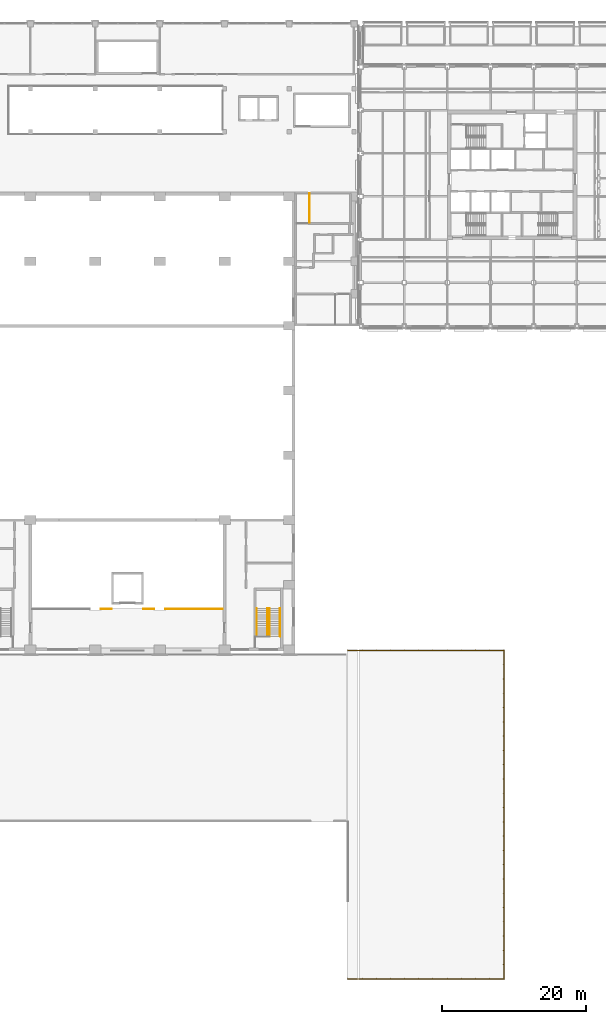
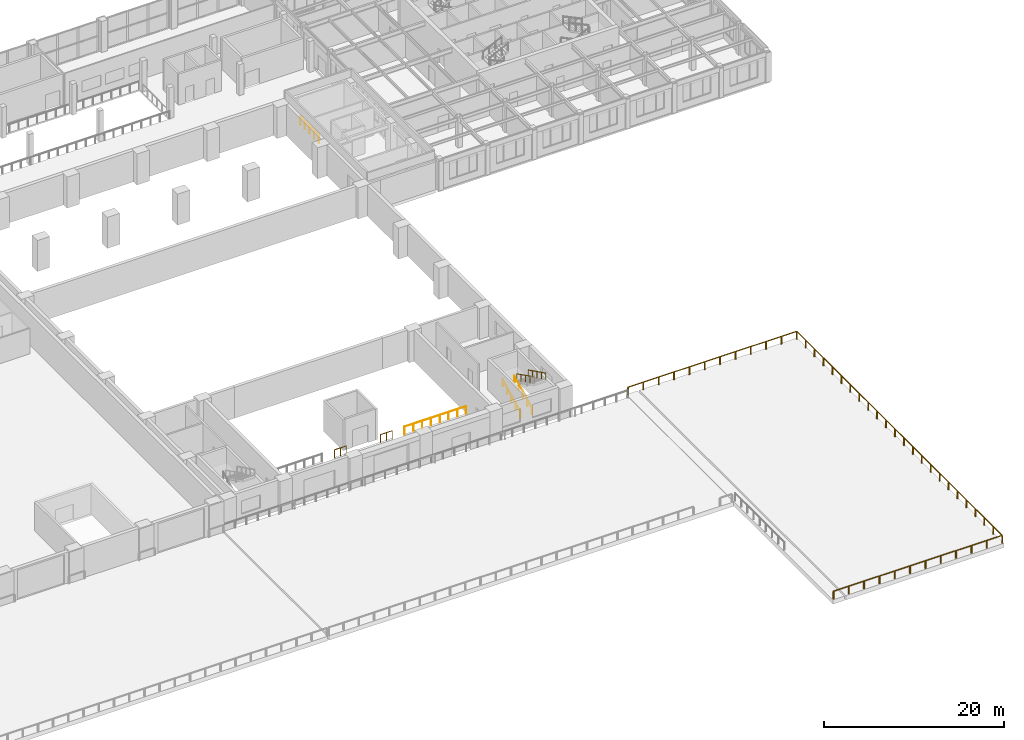
# One storey, part 33 of 39: 9 railings.
"""IFC4 building model written with IfcOpenShell, lengths in metres."""

import ifcopenshell
import ifcopenshell.guid

model = None  # the IFC model being written
_history = None  # IfcOwnerHistory: only IFC2X3 demands one
_inside = {}  # id of a spatial element -> (the spatial element, [elements in it])
_under = {}  # id of a project, library or spatial element -> (it, [spatial elements below it])
_declared = {}  # id of a project -> (the project, [libraries it declares])
_typed = {}  # id of a type object -> (the type object, [elements of that type])
_made_of = {}  # id of a material, layer set ... -> (it, [elements and type objects made of it])


def new_model(schema):
    """Start an empty IFC model of exactly this schema.

    Asked for "IFC4X3", IfcOpenShell would pick the latest addendum, in which some entities
    have other attributes; the version numbers below select the first issue.
    IFC2X3 requires an IfcOwnerHistory on every rooted entity: one is made here for all.
    """
    global model, _history
    if schema == "IFC4X3":
        model = ifcopenshell.file(schema_version=(4, 3, 0, 0))
    else:
        model = ifcopenshell.file(schema=schema)
    _inside.clear()
    _under.clear()
    _declared.clear()
    _typed.clear()
    _made_of.clear()
    _history = None
    if model.schema == "IFC2X3":
        org = make("IfcOrganization", Name="unknown")
        user = make(
            "IfcPersonAndOrganization",
            ThePerson=make("IfcPerson", FamilyName="unknown"),
            TheOrganization=org,
        )
        app = make(
            "IfcApplication",
            ApplicationDeveloper=org,
            Version="unknown",
            ApplicationFullName="unknown",
            ApplicationIdentifier="unknown",
        )
        _history = make(
            "IfcOwnerHistory",
            OwningUser=user,
            OwningApplication=app,
            ChangeAction="ADDED",
            CreationDate=0,
        )
    return model


def make(cls, **values):
    """One entity of the class cls with the attributes given. An attribute that is None is left unset."""
    return model.create_entity(
        cls, **{name: value for name, value in values.items() if value is not None}
    )


def rooted(cls, **values):
    """An entity with a GlobalId (a new one), such as an element, a storey or a relation."""
    return make(cls, GlobalId=ifcopenshell.guid.new(), OwnerHistory=_history, **values)


def si_unit(unit_type, name, prefix=None):
    """IfcSIUnit, for example si_unit("LENGTHUNIT", "METRE", prefix="MILLI")."""
    return make("IfcSIUnit", UnitType=unit_type, Prefix=prefix, Name=name)


def assignment(units):
    """IfcUnitAssignment: the units of a project."""
    return None if units is None else make("IfcUnitAssignment", Units=units)


def point(xyz):
    """IfcCartesianPoint."""
    return None if xyz is None else make("IfcCartesianPoint", Coordinates=xyz)


def direction(xyz):
    """IfcDirection."""
    return None if xyz is None else make("IfcDirection", DirectionRatios=xyz)


def frame(location, z_axis=None, x_axis=None):
    """IfcAxis2Placement3D, a coordinate frame: its origin and axes. An axis left out is left unset."""
    return make(
        "IfcAxis2Placement3D",
        Location=point(location),
        Axis=direction(z_axis),
        RefDirection=direction(x_axis),
    )


def frame_2d(location, x_axis=None):
    """IfcAxis2Placement2D, a coordinate frame in the plane: its origin and x axis."""
    return make(
        "IfcAxis2Placement2D", Location=point(location), RefDirection=direction(x_axis)
    )


def origin():
    """The frame at (0, 0, 0) with its axes left unset."""
    return frame((0.0, 0.0, 0.0))


def origin_2d():
    """The frame at (0, 0) in the plane with its x axis left unset."""
    return frame_2d((0.0, 0.0))


def place(relative_to, where):
    """IfcLocalPlacement: puts the frame where relative to a parent placement (None: the world)."""
    return make(
        "IfcLocalPlacement", PlacementRelTo=relative_to, RelativePlacement=where
    )


def context(
    kind, dimensions, precision=None, world=None, true_north=None, identifier=None
):
    """IfcGeometricRepresentationContext, for example the 3D "Model" context."""
    return make(
        "IfcGeometricRepresentationContext",
        ContextIdentifier=identifier,
        ContextType=kind,
        CoordinateSpaceDimension=dimensions,
        Precision=precision,
        WorldCoordinateSystem=world,
        TrueNorth=true_north,
    )


def subcontext(parent, identifier, kind, view, scale=None):
    """IfcGeometricRepresentationSubContext, for example "Body" below "Model"."""
    return make(
        "IfcGeometricRepresentationSubContext",
        ContextIdentifier=identifier,
        ContextType=kind,
        ParentContext=parent,
        TargetScale=scale,
        TargetView=view,
    )


def project(units=None, contexts=None):
    """IfcProject with its units and contexts."""
    return rooted(
        "IfcProject",
        Name="project",
        RepresentationContexts=contexts,
        UnitsInContext=assignment(units),
    )


def spatial(cls, under=None, at=None, **own):
    """A site, building, storey or space (cls), placed at a placement, below another one or the project."""
    s = rooted(cls, ObjectPlacement=at, **own)
    if under is not None:
        _under.setdefault(under.id(), (under, []))[1].append(s)
    return s


def profile(cls, at=None, kind="AREA", **sizes):
    """A parametric profile (cls). Its sizes go by their IFC names, for example OverallWidth=200.0."""
    return make(cls, ProfileType=kind, Position=at, **sizes)


def circle(**sizes):
    """IfcCircleProfileDef."""
    return profile("IfcCircleProfileDef", **sizes)


def extrude(swept, where, along, depth):
    """IfcExtrudedAreaSolid: the profile swept, set in the frame where, extruded along a direction by depth."""
    return make(
        "IfcExtrudedAreaSolid",
        SweptArea=swept,
        Position=where,
        ExtrudedDirection=direction(along),
        Depth=depth,
    )


def shape(context_of_items, identifier, shape_type, items):
    """IfcShapeRepresentation: the items that make up one representation, for example the "Body"."""
    return make(
        "IfcShapeRepresentation",
        ContextOfItems=context_of_items,
        RepresentationIdentifier=identifier,
        RepresentationType=shape_type,
        Items=items,
    )


def material(Name=None, Category=None):
    """IfcMaterial."""
    return make("IfcMaterial", Name=Name, Category=Category)


def made_of(thing, what):
    """Note that an element or type object is made of a material, layer set ...; save() writes the relation."""
    if what is not None:
        _made_of.setdefault(what.id(), (what, []))[1].append(thing)
    return thing


def type_object(cls, material=None, **own):
    """A type object (cls), such as IfcWallType, which elements share."""
    return made_of(rooted(cls, **own), material)


def element(
    cls,
    number,
    at=None,
    inside=None,
    cuts=None,
    type_object=None,
    material=None,
    context=None,
    identifier="Body",
    shape_type=None,
    held_by="IfcProductDefinitionShape",
    body=None,
    shapes=None,
    **own,
):
    """One element of the class cls, such as IfcWall. Its Tag is "e" and its number.

    at: its placement. inside: the storey or other place that contains it. cuts: it is an
    opening in that element (IfcRelVoidsElement). A single representation is given by context,
    identifier, shape_type and body (its items); several are given by shapes. held_by: the class
    of the entity that holds the representations. save() writes the other relations.
    """
    e = rooted(cls, Tag="e%d" % number, ObjectPlacement=at, **own)
    if body is not None:
        shapes = [shape(context, identifier, shape_type, body)]
    if shapes is not None:
        e.Representation = make(held_by, Representations=shapes)
    if inside is not None:
        _inside.setdefault(inside.id(), (inside, []))[1].append(e)
    if cuts is not None:
        rooted(
            "IfcRelVoidsElement", RelatingBuildingElement=cuts, RelatedOpeningElement=e
        )
    if type_object is not None:
        _typed.setdefault(type_object.id(), (type_object, []))[1].append(e)
    return made_of(e, material)


def aggregate(whole, parts):
    """IfcRelAggregates: a whole, such as a stair, and the parts it consists of."""
    return rooted("IfcRelAggregates", RelatingObject=whole, RelatedObjects=parts)


def save(model, path):
    """Write the relations noted so far, then the file.

    IfcRelAggregates (storeys below a building ...), IfcRelContainedInSpatialStructure (elements
    in a storey), IfcRelDefinesByType, IfcRelAssociatesMaterial and IfcRelDeclares: one each for
    every whole, place, type object, material and project.
    """
    for whole, parts in _under.values():
        aggregate(whole, parts)
    for where, things in _inside.values():
        rooted(
            "IfcRelContainedInSpatialStructure",
            RelatedElements=things,
            RelatingStructure=where,
        )
    for kind, things in _typed.values():
        rooted("IfcRelDefinesByType", RelatedObjects=things, RelatingType=kind)
    for what, things in _made_of.values():
        rooted("IfcRelAssociatesMaterial", RelatedObjects=things, RelatingMaterial=what)
    for by, libraries in _declared.values():
        rooted("IfcRelDeclares", RelatingContext=by, RelatedDefinitions=libraries)
    model.write(path)


model = new_model("IFC4")

# Units and contexts
model_context = context("Model", 3, precision=1e-05, world=origin(), true_north=direction((0.0, 1.0)))
body_context = subcontext(model_context, "Body", "Model", "MODEL_VIEW")
ifc_project = project(units=[si_unit("LENGTHUNIT", "METRE"), si_unit("AREAUNIT", "SQUARE_METRE"), si_unit("VOLUMEUNIT", "CUBIC_METRE"), si_unit("PLANEANGLEUNIT", "RADIAN"), si_unit("MASSUNIT", "GRAM", prefix="KILO")], contexts=[model_context])

# Site, building, storey
site_placement = place(None, origin())
site = spatial("IfcSite", under=ifc_project, at=site_placement, CompositionType="ELEMENT")
building_placement = place(site_placement, origin())
building = spatial("IfcBuilding", under=site, at=building_placement, Name="Aravalli Gate Trade Fair Centre", CompositionType="ELEMENT")
storey_placement = place(building_placement, frame((0.0, 0.0, 15.0)))
storey = spatial("IfcBuildingStorey", under=building, at=storey_placement, Name="L03", CompositionType="ELEMENT", Elevation=15.0)

# Railings
ifc_material = material(Name="Steel E350", Category="steel")
railing_type_1 = type_object("IfcRailingType", Name="Congress gallery guard 1100", PredefinedType="GUARDRAIL", material=ifc_material)
for number, where, name in (
    (1, (123.800048828125, 51.60009765625, 0.0), "Gallery guard 2"),
    (2, (129.699951171875, 51.60009765625, 0.0), "Gallery guard 3"),
):
    element("IfcRailing", number, at=place(storey_placement, frame(where)), inside=storey, type_object=railing_type_1, Name=name, PredefinedType="GUARDRAIL", context=body_context, shape_type="SweptSolid", body=[
        extrude(circle(Radius=0.02392578125, at=origin_2d()), frame((0.0, 0.0, 1.076171875), z_axis=(1.0, 0.0, 0.0), x_axis=(0.0, 1.0, 0.0)), (0.0, 0.0, 1.0), 1.5),
        extrude(circle(Radius=0.02099609375, at=origin_2d()), origin(), (0.0, 0.0, 1.0), 1.052001953125),
        extrude(circle(Radius=0.02099609375, at=origin_2d()), frame((0.75, 0.0, 0.0)), (0.0, 0.0, 1.0), 1.052001953125),
        extrude(circle(Radius=0.02099609375, at=origin_2d()), frame((1.5, 0.0, 0.0)), (0.0, 0.0, 1.0), 1.052001953125),
    ])
railing_1_placement = place(storey_placement, frame((132.800048828125, 51.60009765625, 0.0)))
element("IfcRailing", 3, at=railing_1_placement, inside=storey, type_object=railing_type_1, Name="Gallery guard 4", PredefinedType="GUARDRAIL", context=body_context, shape_type="SweptSolid", body=[
    extrude(circle(Radius=0.02392578125, at=origin_2d()), frame((0.0, 0.0, 1.076171875), z_axis=(1.0, 0.0, 0.0), x_axis=(0.0, 1.0, 0.0)), (0.0, 0.0, 1.0), 7.89990234375),
    extrude(circle(Radius=0.02099609375, at=origin_2d()), origin(), (0.0, 0.0, 1.0), 1.052001953125),
    extrude(circle(Radius=0.02099609375, at=origin_2d()), frame((1.128662109375, 0.0, 0.0)), (0.0, 0.0, 1.0), 1.052001953125),
    extrude(circle(Radius=0.02099609375, at=origin_2d()), frame((2.257080078125, 0.0, 0.0)), (0.0, 0.0, 1.0), 1.052001953125),
    extrude(circle(Radius=0.02099609375, at=origin_2d()), frame((3.3857421875, 0.0, 0.0)), (0.0, 0.0, 1.0), 1.052001953125),
    extrude(circle(Radius=0.02099609375, at=origin_2d()), frame((4.51416015625, 0.0, 0.0)), (0.0, 0.0, 1.0), 1.052001953125),
    extrude(circle(Radius=0.02099609375, at=origin_2d()), frame((5.642822265625, 0.0, 0.0)), (0.0, 0.0, 1.0), 1.052001953125),
    extrude(circle(Radius=0.02099609375, at=origin_2d()), frame((6.771240234375, 0.0, 0.0)), (0.0, 0.0, 1.0), 1.052001953125),
    extrude(circle(Radius=0.02099609375, at=origin_2d()), frame((7.89990234375, 0.0, 0.0)), (0.0, 0.0, 1.0), 1.052001953125),
])
railing_type_2 = type_object("IfcRailingType", Name="Congress stair handrail 900", PredefinedType="HANDRAIL", material=ifc_material)
for number, where, name in (
    (4, (145.469970703125, 47.800048828125, 0.14990234375), "Handrail GS2 L03 1"),
    (5, (146.949951171875, 47.800048828125, 0.14990234375), "Handrail GS2 L03 2"),
):
    element("IfcRailing", number, at=place(storey_placement, frame(where)), inside=storey, type_object=railing_type_2, Name=name, PredefinedType="HANDRAIL", context=body_context, shape_type="SweptSolid", body=[
        extrude(circle(Radius=0.02392578125, at=origin_2d()), frame((0.0, 0.0, 0.8759765625), z_axis=(0.0, 0.894404793364, 0.447258387967), x_axis=(-1.0, 0.0, 0.0)), (0.0, 0.0, 1.0), 4.3603515625),
        extrude(circle(Radius=0.02099609375, at=origin_2d()), origin(), (0.0, 0.0, 1.0), 0.851806640625),
        extrude(circle(Radius=0.02099609375, at=origin_2d()), frame((0.0, 0.97509765625, 0.487548828125)), (0.0, 0.0, 1.0), 0.851806640625),
        extrude(circle(Radius=0.02099609375, at=origin_2d()), frame((0.0, 1.949951171875, 0.97509765625)), (0.0, 0.0, 1.0), 0.851806640625),
        extrude(circle(Radius=0.02099609375, at=origin_2d()), frame((0.0, 2.9248046875, 1.462646484375)), (0.0, 0.0, 1.0), 0.851806640625),
        extrude(circle(Radius=0.02099609375, at=origin_2d()), frame((0.0, 3.89990234375, 1.9501953125)), (0.0, 0.0, 1.0), 0.851806640625),
    ])
for number, where, name in (
    (6, (148.72998046875, 51.699951171875, 2.25), "Handrail GS2 L03 3"),
    (7, (147.25, 51.699951171875, 2.25), "Handrail GS2 L03 4"),
):
    element("IfcRailing", number, at=place(storey_placement, frame(where)), inside=storey, type_object=railing_type_2, Name=name, PredefinedType="HANDRAIL", context=body_context, shape_type="SweptSolid", body=[
        extrude(circle(Radius=0.02392578125, at=origin_2d()), frame((0.0, 0.0, 0.8759765625), z_axis=(0.0, -0.894427191, 0.4472135955), x_axis=(1.0, 0.0, 0.0)), (0.0, 0.0, 1.0), 4.360107421875),
        extrude(circle(Radius=0.02099609375, at=origin_2d()), origin(), (0.0, 0.0, 1.0), 0.851806640625),
        extrude(circle(Radius=0.02099609375, at=origin_2d()), frame((0.0, -0.97509765625, 0.487548828125)), (0.0, 0.0, 1.0), 0.851806640625),
        extrude(circle(Radius=0.02099609375, at=origin_2d()), frame((0.0, -1.949951171875, 0.97509765625)), (0.0, 0.0, 1.0), 0.851806640625),
        extrude(circle(Radius=0.02099609375, at=origin_2d()), frame((0.0, -2.9248046875, 1.46240234375)), (0.0, 0.0, 1.0), 0.851806640625),
        extrude(circle(Radius=0.02099609375, at=origin_2d()), frame((0.0, -3.89990234375, 1.949951171875)), (0.0, 0.0, 1.0), 0.851806640625),
    ])
railing_type_3 = type_object("IfcRailingType", Name="Crash barrier 1100", PredefinedType="USERDEFINED", material=ifc_material)
railing_2_placement = place(storey_placement, frame((158.169921875, 0.14990234375, 0.0)))
element("IfcRailing", 8, at=railing_2_placement, inside=storey, type_object=railing_type_3, Name="Landing crash barrier", ObjectType="Crash barrier", PredefinedType="USERDEFINED", context=body_context, shape_type="SweptSolid", body=[
    extrude(circle(Radius=0.06982421875, at=origin_2d()), frame((0.0, 0.0, 1.0302734375), z_axis=(1.0, 0.0, 0.0), x_axis=(0.0, 1.0, 0.0)), (0.0, 0.0, 1.0), 21.68017578125),
    extrude(circle(Radius=0.06982421875, at=origin_2d()), frame((21.68017578125, 0.0, 1.0302734375), z_axis=(0.0, 1.0, 0.0), x_axis=(-1.0, 0.0, 0.0)), (0.0, 0.0, 1.0), 45.7001953125),
    extrude(circle(Radius=0.06982421875, at=origin_2d()), frame((21.68017578125, 45.7001953125, 1.0302734375), z_axis=(-1.0, 0.0, 0.0), x_axis=(0.0, -1.0, 0.0)), (0.0, 0.0, 1.0), 21.68017578125),
    extrude(circle(Radius=0.10009765625, at=origin_2d()), origin(), (0.0, 0.0, 1.0), 0.960205078125),
    extrude(circle(Radius=0.10009765625, at=origin_2d()), frame((1.970947265625, 0.0, 0.0)), (0.0, 0.0, 1.0), 0.960205078125),
    extrude(circle(Radius=0.10009765625, at=origin_2d()), frame((3.94189453125, 0.0, 0.0)), (0.0, 0.0, 1.0), 0.960205078125),
    extrude(circle(Radius=0.10009765625, at=origin_2d()), frame((5.912841796875, 0.0, 0.0)), (0.0, 0.0, 1.0), 0.960205078125),
    extrude(circle(Radius=0.10009765625, at=origin_2d()), frame((7.8837890625, 0.0, 0.0)), (0.0, 0.0, 1.0), 0.960205078125),
    extrude(circle(Radius=0.10009765625, at=origin_2d()), frame((9.854736328125, 0.0, 0.0)), (0.0, 0.0, 1.0), 0.960205078125),
    extrude(circle(Radius=0.10009765625, at=origin_2d()), frame((11.825439453125, 0.0, 0.0)), (0.0, 0.0, 1.0), 0.960205078125),
    extrude(circle(Radius=0.10009765625, at=origin_2d()), frame((13.79638671875, 0.0, 0.0)), (0.0, 0.0, 1.0), 0.960205078125),
    extrude(circle(Radius=0.10009765625, at=origin_2d()), frame((15.767333984375, 0.0, 0.0)), (0.0, 0.0, 1.0), 0.960205078125),
    extrude(circle(Radius=0.10009765625, at=origin_2d()), frame((17.73828125, 0.0, 0.0)), (0.0, 0.0, 1.0), 0.960205078125),
    extrude(circle(Radius=0.10009765625, at=origin_2d()), frame((19.709228515625, 0.0, 0.0)), (0.0, 0.0, 1.0), 0.960205078125),
    extrude(circle(Radius=0.10009765625, at=origin_2d()), frame((21.68017578125, 0.0, 0.0)), (0.0, 0.0, 1.0), 0.960205078125),
    extrude(circle(Radius=0.10009765625, at=origin_2d()), frame((21.68017578125, 1.987060546875, 0.0)), (0.0, 0.0, 1.0), 0.960205078125),
    extrude(circle(Radius=0.10009765625, at=origin_2d()), frame((21.68017578125, 3.973876953125, 0.0)), (0.0, 0.0, 1.0), 0.960205078125),
    extrude(circle(Radius=0.10009765625, at=origin_2d()), frame((21.68017578125, 5.9609375, 0.0)), (0.0, 0.0, 1.0), 0.960205078125),
    extrude(circle(Radius=0.10009765625, at=origin_2d()), frame((21.68017578125, 7.94775390625, 0.0)), (0.0, 0.0, 1.0), 0.960205078125),
    extrude(circle(Radius=0.10009765625, at=origin_2d()), frame((21.68017578125, 9.934814453125, 0.0)), (0.0, 0.0, 1.0), 0.960205078125),
    extrude(circle(Radius=0.10009765625, at=origin_2d()), frame((21.68017578125, 11.921875, 0.0)), (0.0, 0.0, 1.0), 0.960205078125),
    extrude(circle(Radius=0.10009765625, at=origin_2d()), frame((21.68017578125, 13.90869140625, 0.0)), (0.0, 0.0, 1.0), 0.960205078125),
    extrude(circle(Radius=0.10009765625, at=origin_2d()), frame((21.68017578125, 15.895751953125, 0.0)), (0.0, 0.0, 1.0), 0.960205078125),
    extrude(circle(Radius=0.10009765625, at=origin_2d()), frame((21.68017578125, 17.882568359375, 0.0)), (0.0, 0.0, 1.0), 0.960205078125),
    extrude(circle(Radius=0.10009765625, at=origin_2d()), frame((21.68017578125, 19.86962890625, 0.0)), (0.0, 0.0, 1.0), 0.960205078125),
    extrude(circle(Radius=0.10009765625, at=origin_2d()), frame((21.68017578125, 21.856689453125, 0.0)), (0.0, 0.0, 1.0), 0.960205078125),
    extrude(circle(Radius=0.10009765625, at=origin_2d()), frame((21.68017578125, 23.843505859375, 0.0)), (0.0, 0.0, 1.0), 0.960205078125),
    extrude(circle(Radius=0.10009765625, at=origin_2d()), frame((21.68017578125, 25.83056640625, 0.0)), (0.0, 0.0, 1.0), 0.960205078125),
    extrude(circle(Radius=0.10009765625, at=origin_2d()), frame((21.68017578125, 27.817626953125, 0.0)), (0.0, 0.0, 1.0), 0.960205078125),
    extrude(circle(Radius=0.10009765625, at=origin_2d()), frame((21.68017578125, 29.804443359375, 0.0)), (0.0, 0.0, 1.0), 0.960205078125),
    extrude(circle(Radius=0.10009765625, at=origin_2d()), frame((21.68017578125, 31.79150390625, 0.0)), (0.0, 0.0, 1.0), 0.960205078125),
    extrude(circle(Radius=0.10009765625, at=origin_2d()), frame((21.68017578125, 33.7783203125, 0.0)), (0.0, 0.0, 1.0), 0.960205078125),
    extrude(circle(Radius=0.10009765625, at=origin_2d()), frame((21.68017578125, 35.765380859375, 0.0)), (0.0, 0.0, 1.0), 0.960205078125),
    extrude(circle(Radius=0.10009765625, at=origin_2d()), frame((21.68017578125, 37.75244140625, 0.0)), (0.0, 0.0, 1.0), 0.960205078125),
    extrude(circle(Radius=0.10009765625, at=origin_2d()), frame((21.68017578125, 39.7392578125, 0.0)), (0.0, 0.0, 1.0), 0.960205078125),
    extrude(circle(Radius=0.10009765625, at=origin_2d()), frame((21.68017578125, 41.726318359375, 0.0)), (0.0, 0.0, 1.0), 0.960205078125),
    extrude(circle(Radius=0.10009765625, at=origin_2d()), frame((21.68017578125, 43.713134765625, 0.0)), (0.0, 0.0, 1.0), 0.960205078125),
    extrude(circle(Radius=0.10009765625, at=origin_2d()), frame((21.68017578125, 45.7001953125, 0.0)), (0.0, 0.0, 1.0), 0.960205078125),
    extrude(circle(Radius=0.10009765625, at=origin_2d()), frame((19.709228515625, 45.7001953125, 0.0)), (0.0, 0.0, 1.0), 0.960205078125),
    extrude(circle(Radius=0.10009765625, at=origin_2d()), frame((17.73828125, 45.7001953125, 0.0)), (0.0, 0.0, 1.0), 0.960205078125),
    extrude(circle(Radius=0.10009765625, at=origin_2d()), frame((15.767333984375, 45.7001953125, 0.0)), (0.0, 0.0, 1.0), 0.960205078125),
    extrude(circle(Radius=0.10009765625, at=origin_2d()), frame((13.79638671875, 45.7001953125, 0.0)), (0.0, 0.0, 1.0), 0.960205078125),
    extrude(circle(Radius=0.10009765625, at=origin_2d()), frame((11.825439453125, 45.7001953125, 0.0)), (0.0, 0.0, 1.0), 0.960205078125),
    extrude(circle(Radius=0.10009765625, at=origin_2d()), frame((9.854736328125, 45.7001953125, 0.0)), (0.0, 0.0, 1.0), 0.960205078125),
    extrude(circle(Radius=0.10009765625, at=origin_2d()), frame((7.8837890625, 45.7001953125, 0.0)), (0.0, 0.0, 1.0), 0.960205078125),
    extrude(circle(Radius=0.10009765625, at=origin_2d()), frame((5.912841796875, 45.7001953125, 0.0)), (0.0, 0.0, 1.0), 0.960205078125),
    extrude(circle(Radius=0.10009765625, at=origin_2d()), frame((3.94189453125, 45.7001953125, 0.0)), (0.0, 0.0, 1.0), 0.960205078125),
    extrude(circle(Radius=0.10009765625, at=origin_2d()), frame((1.970947265625, 45.7001953125, 0.0)), (0.0, 0.0, 1.0), 0.960205078125),
    extrude(circle(Radius=0.10009765625, at=origin_2d()), frame((0.0, 45.7001953125, 0.0)), (0.0, 0.0, 1.0), 0.960205078125),
])
railing_type_4 = type_object("IfcRailingType", Name="Wing stair roof guard", PredefinedType="GUARDRAIL", material=ifc_material)
railing_3_placement = place(storey_placement, frame((152.802978515625, 105.35009765625, 0.0)))
element("IfcRailing", 9, at=railing_3_placement, inside=storey, type_object=railing_type_4, Name="Guard LB landing L03", PredefinedType="GUARDRAIL", context=body_context, shape_type="SweptSolid", body=[
    extrude(circle(Radius=0.02392578125, at=origin_2d()), frame((0.0, 0.0, 1.076171875), z_axis=(0.0, 1.0, 0.0), x_axis=(-1.0, 0.0, 0.0)), (0.0, 0.0, 1.0), 4.099853515625),
    extrude(circle(Radius=0.02099609375, at=origin_2d()), origin(), (0.0, 0.0, 1.0), 1.052001953125),
    extrude(circle(Radius=0.02099609375, at=origin_2d()), frame((0.0, 1.02490234375, 0.0)), (0.0, 0.0, 1.0), 1.052001953125),
    extrude(circle(Radius=0.02099609375, at=origin_2d()), frame((0.0, 2.0498046875, 0.0)), (0.0, 0.0, 1.0), 1.052001953125),
    extrude(circle(Radius=0.02099609375, at=origin_2d()), frame((0.0, 3.074951171875, 0.0)), (0.0, 0.0, 1.0), 1.052001953125),
    extrude(circle(Radius=0.02099609375, at=origin_2d()), frame((0.0, 4.099853515625, 0.0)), (0.0, 0.0, 1.0), 1.052001953125),
])

save(model, "model.ifc")
